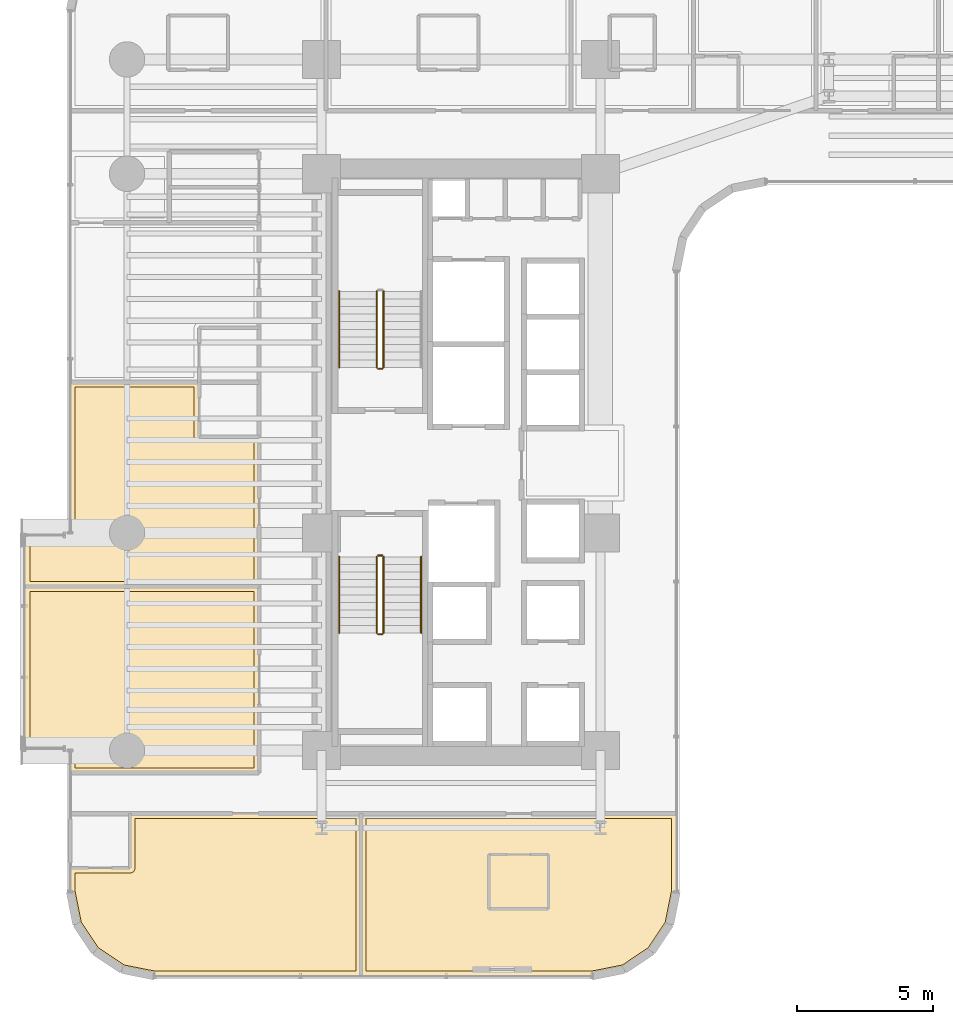
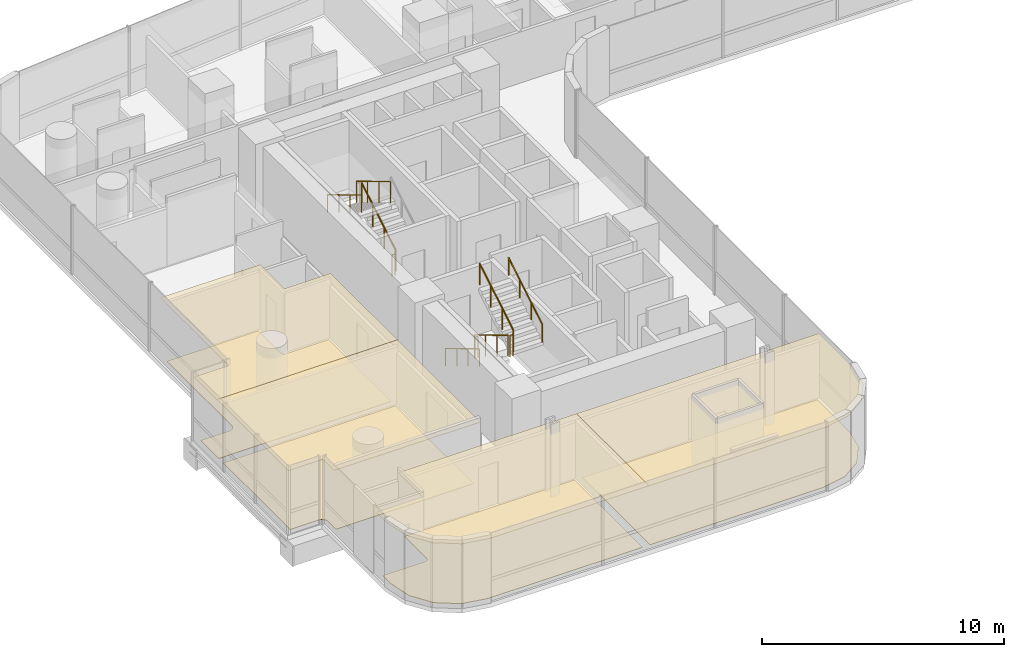
# One storey, part 36 of 40: 10 railings, 8 coverings.
"""IFC4 building model written with IfcOpenShell, lengths in metres."""

from ifc_helpers import new_model, si_unit, direction, frame, origin, origin_2d, place, context, subcontext, project, spatial, polyline, circle, outline, extrude, material, layer, layer_set, type_object, element, save


model = new_model("IFC4")

# Units and contexts
model_context = context("Model", 3, precision=1e-05, world=origin(), true_north=direction((0.0, 1.0)))
body_context = subcontext(model_context, "Body", "Model", "MODEL_VIEW")
ifc_project = project(units=[si_unit("LENGTHUNIT", "METRE"), si_unit("AREAUNIT", "SQUARE_METRE"), si_unit("VOLUMEUNIT", "CUBIC_METRE"), si_unit("PLANEANGLEUNIT", "RADIAN"), si_unit("MASSUNIT", "GRAM", prefix="KILO")], contexts=[model_context])

# Site, building, storey
site_placement = place(None, origin())
site = spatial("IfcSite", under=ifc_project, at=site_placement, CompositionType="ELEMENT")
building_placement = place(site_placement, origin())
building = spatial("IfcBuilding", under=site, at=building_placement, Name="Valdorenza Pilgrim Sanctuary Tower", CompositionType="ELEMENT")
storey_placement = place(building_placement, frame((0.0, 0.0, 92.60009765625)))
storey = spatial("IfcBuildingStorey", under=building, at=storey_placement, Name="L23", CompositionType="ELEMENT", Elevation=92.60009765625)

# Coverings
ifc_material_1 = material(Name="Micro-perforated acoustic mineral ceiling tile", Category="gypsum")
ifc_layer_1 = layer(ifc_material_1, 0.02490234375, Name="Micro-perforated acoustic mineral ceiling tile")
ifc_layer_set_1 = layer_set([ifc_layer_1], Name="Micro-perforated acoustic mineral ceiling tile")
covering_type_1 = type_object("IfcCoveringType", Name="COV-CLG-ACU", PredefinedType="CEILING", material=ifc_layer_set_1)
covering_1_placement = place(storey_placement, frame((0.0, 0.0, 3.159912109375)))
element("IfcCovering", 1, at=covering_1_placement, inside=storey, type_object=covering_type_1, Name="L23 Pilgrim Language Classroom L23 Acoustic Ceiling", PredefinedType="CEILING", context=body_context, shape_type="SweptSolid", body=[
    extrude(outline(polyline([(-24.93505859375, -11.419921875), (-24.93505859375, -11.42138671875), (-24.935302734375, -11.4228515625), (-24.935546875, -11.42431640625), (-24.93603515625, -11.42578125), (-24.936767578125, -11.427001953125), (-24.9375, -11.42822265625), (-24.9384765625, -11.429443359375), (-24.939453125, -11.4306640625), (-24.9404296875, -11.431640625), (-24.941650390625, -11.4326171875), (-24.94287109375, -11.43310546875), (-24.9443359375, -11.433837890625), (-24.945556640625, -11.434326171875), (-24.947021484375, -11.434814453125), (-24.948486328125, -11.434814453125), (-24.949951171875, -11.43505859375), (-31.889892578125, -11.43505859375), (-31.8916015625, -11.434814453125), (-31.892822265625, -11.434814453125), (-31.894287109375, -11.434326171875), (-31.895751953125, -11.433837890625), (-31.897216796875, -11.43310546875), (-31.898193359375, -11.4326171875), (-31.8994140625, -11.431640625), (-31.900634765625, -11.4306640625), (-31.901611328125, -11.429443359375), (-31.902587890625, -11.42822265625), (-31.9033203125, -11.427001953125), (-31.90380859375, -11.42578125), (-31.904296875, -11.42431640625), (-31.90478515625, -11.4228515625), (-31.90478515625, -11.42138671875), (-31.905029296875, -11.419921875), (-31.905029296875, -10.600341796875), (-31.905517578125, -10.5908203125), (-31.90673828125, -10.58154296875), (-31.9091796875, -10.572509765625), (-31.912109375, -10.563720703125), (-31.916259765625, -10.55517578125), (-31.9208984375, -10.547119140625), (-31.926513671875, -10.539794921875), (-31.932861328125, -10.53271484375), (-31.939697265625, -10.526611328125), (-31.947265625, -10.52099609375), (-31.955078125, -10.51611328125), (-31.963623046875, -10.51220703125), (-31.972412109375, -10.509033203125), (-31.9814453125, -10.5068359375), (-31.99072265625, -10.505615234375), (-32.00048828125, -10.5048828125), (-33.5400390625, -10.5048828125), (-33.54150390625, -10.5048828125), (-33.54296875, -10.504638671875), (-33.54443359375, -10.50439453125), (-33.545654296875, -10.50390625), (-33.547119140625, -10.503173828125), (-33.54833984375, -10.50244140625), (-33.549560546875, -10.501708984375), (-33.550537109375, -10.50048828125), (-33.551513671875, -10.49951171875), (-33.552490234375, -10.498291015625), (-33.55322265625, -10.4970703125), (-33.553955078125, -10.49560546875), (-33.554443359375, -10.494384765625), (-33.5546875, -10.492919921875), (-33.554931640625, -10.491455078125), (-33.554931640625, -10.489990234375), (-33.554931640625, -4.577880859375), (-33.554931640625, -4.576416015625), (-33.5546875, -4.5751953125), (-33.554443359375, -4.573486328125), (-33.553955078125, -4.572265625), (-33.55322265625, -4.57080078125), (-33.552490234375, -4.569580078125), (-33.551513671875, -4.568603515625), (-33.550537109375, -4.5673828125), (-33.549560546875, -4.56640625), (-33.54833984375, -4.5654296875), (-33.547119140625, -4.564697265625), (-33.545654296875, -4.564208984375), (-33.54443359375, -4.563720703125), (-33.54296875, -4.563232421875), (-33.54150390625, -4.56298828125), (-33.5400390625, -4.56298828125), (-24.949951171875, -4.56298828125), (-24.948486328125, -4.56298828125), (-24.947021484375, -4.563232421875), (-24.945556640625, -4.563720703125), (-24.9443359375, -4.564208984375), (-24.94287109375, -4.564697265625), (-24.941650390625, -4.5654296875), (-24.9404296875, -4.56640625), (-24.939453125, -4.5673828125), (-24.9384765625, -4.568603515625), (-24.9375, -4.569580078125), (-24.936767578125, -4.57080078125), (-24.93603515625, -4.572265625), (-24.935546875, -4.573486328125), (-24.935302734375, -4.5751953125), (-24.93505859375, -4.576416015625), (-24.93505859375, -4.577880859375), (-24.93505859375, -11.419921875)])), origin(), (0.0, 0.0, 1.0), 0.02490234375),
])
covering_2_placement = place(storey_placement, frame((0.0, 0.0, 3.159912109375)))
element("IfcCovering", 2, at=covering_2_placement, inside=storey, type_object=covering_type_1, Name="L23 Pilgrim Guest Room L23-HW1 Acoustic Ceiling", PredefinedType="CEILING", context=body_context, shape_type="SweptSolid", body=[
    extrude(outline(polyline([(-33.554931640625, -2.7099609375), (-33.554931640625, -2.70849609375), (-33.5546875, -2.70703125), (-33.554443359375, -2.70556640625), (-33.553955078125, -2.704345703125), (-33.55322265625, -2.702880859375), (-33.552490234375, -2.70166015625), (-33.551513671875, -2.700439453125), (-33.550537109375, -2.699462890625), (-33.549560546875, -2.698486328125), (-33.54833984375, -2.697509765625), (-33.547119140625, -2.69677734375), (-33.545654296875, -2.696044921875), (-33.54443359375, -2.695556640625), (-33.54296875, -2.6953125), (-33.54150390625, -2.695068359375), (-33.5400390625, -2.695068359375), (-32.00048828125, -2.695068359375), (-31.99072265625, -2.694580078125), (-31.9814453125, -2.693115234375), (-31.972412109375, -2.69091796875), (-31.963623046875, -2.687744140625), (-31.955078125, -2.683837890625), (-31.947265625, -2.678955078125), (-31.939697265625, -2.67333984375), (-31.932861328125, -2.667236328125), (-31.926513671875, -2.660400390625), (-31.9208984375, -2.65283203125), (-31.916259765625, -2.644775390625), (-31.912109375, -2.63623046875), (-31.9091796875, -2.627685546875), (-31.90673828125, -2.618408203125), (-31.905517578125, -2.609375), (-31.905029296875, -2.599609375), (-31.905029296875, 2.93603515625), (-31.90478515625, 2.9375), (-31.90478515625, 2.93896484375), (-31.904296875, 2.9404296875), (-31.90380859375, 2.941650390625), (-31.9033203125, 2.943115234375), (-31.902587890625, 2.9443359375), (-31.901611328125, 2.945556640625), (-31.900634765625, 2.946533203125), (-31.8994140625, 2.947509765625), (-31.898193359375, 2.948486328125), (-31.897216796875, 2.94921875), (-31.895751953125, 2.949951171875), (-31.894287109375, 2.950439453125), (-31.892822265625, 2.95068359375), (-31.8916015625, 2.950927734375), (-31.889892578125, 2.950927734375), (-27.152099609375, 2.950927734375), (-27.150390625, 2.950927734375), (-27.149169921875, 2.95068359375), (-27.147705078125, 2.950439453125), (-27.146240234375, 2.949951171875), (-27.14501953125, 2.94921875), (-27.143798828125, 2.948486328125), (-27.142578125, 2.947509765625), (-27.141357421875, 2.946533203125), (-27.140380859375, 2.945556640625), (-27.139404296875, 2.9443359375), (-27.138916015625, 2.943115234375), (-27.13818359375, 2.941650390625), (-27.1376953125, 2.9404296875), (-27.13720703125, 2.93896484375), (-27.13720703125, 2.9375), (-27.136962890625, 2.93603515625), (-27.136962890625, 0.948974609375), (-24.949951171875, 0.948974609375), (-24.948486328125, 0.948974609375), (-24.947021484375, 0.94873046875), (-24.945556640625, 0.948486328125), (-24.9443359375, 0.947998046875), (-24.94287109375, 0.947265625), (-24.941650390625, 0.946533203125), (-24.9404296875, 0.945556640625), (-24.939453125, 0.944580078125), (-24.9384765625, 0.943603515625), (-24.9375, 0.9423828125), (-24.936767578125, 0.941162109375), (-24.93603515625, 0.939697265625), (-24.935546875, 0.9384765625), (-24.935302734375, 0.93701171875), (-24.93505859375, 0.935546875), (-24.93505859375, 0.93408203125), (-24.93505859375, -4.575927734375), (-24.93505859375, -4.577392578125), (-24.935302734375, -4.578857421875), (-24.935546875, -4.580322265625), (-24.93603515625, -4.581787109375), (-24.936767578125, -4.5830078125), (-24.9375, -4.584228515625), (-24.9384765625, -4.58544921875), (-24.939453125, -4.586669921875), (-24.9404296875, -4.587646484375), (-24.941650390625, -4.58837890625), (-24.94287109375, -4.589111328125), (-24.9443359375, -4.58984375), (-24.945556640625, -4.59033203125), (-24.947021484375, -4.5908203125), (-24.948486328125, -4.5908203125), (-24.949951171875, -4.591064453125), (-33.5400390625, -4.591064453125), (-33.54150390625, -4.5908203125), (-33.54296875, -4.5908203125), (-33.54443359375, -4.59033203125), (-33.545654296875, -4.58984375), (-33.547119140625, -4.589111328125), (-33.54833984375, -4.58837890625), (-33.549560546875, -4.587646484375), (-33.550537109375, -4.586669921875), (-33.551513671875, -4.58544921875), (-33.552490234375, -4.584228515625), (-33.55322265625, -4.5830078125), (-33.553955078125, -4.581787109375), (-33.554443359375, -4.580322265625), (-33.5546875, -4.578857421875), (-33.554931640625, -4.577392578125), (-33.554931640625, -4.575927734375), (-33.554931640625, -2.7099609375)])), origin(), (0.0, 0.0, 1.0), 0.02490234375),
])
covering_3_placement = place(storey_placement, frame((0.0, 0.0, 3.159912109375)))
element("IfcCovering", 3, at=covering_3_placement, inside=storey, type_object=covering_type_1, Name="L23 South Guest Room L23-S1 Acoustic Ceiling", PredefinedType="CEILING", context=body_context, shape_type="SweptSolid", body=[
    extrude(outline(polyline([(-29.702880859375, -14.906982421875), (-29.702880859375, -12.919921875), (-29.702880859375, -12.91845703125), (-29.70263671875, -12.9169921875), (-29.702392578125, -12.91552734375), (-29.701904296875, -12.914306640625), (-29.701171875, -12.912841796875), (-29.700439453125, -12.91162109375), (-29.69970703125, -12.910400390625), (-29.698486328125, -12.909423828125), (-29.697509765625, -12.908447265625), (-29.6962890625, -12.907470703125), (-29.695068359375, -12.90673828125), (-29.693603515625, -12.906005859375), (-29.6923828125, -12.905517578125), (-29.69091796875, -12.9052734375), (-29.689453125, -12.905029296875), (-29.68798828125, -12.905029296875), (-21.199951171875, -12.905029296875), (-21.198486328125, -12.905029296875), (-21.197021484375, -12.9052734375), (-21.195556640625, -12.905517578125), (-21.1943359375, -12.906005859375), (-21.19287109375, -12.90673828125), (-21.191650390625, -12.907470703125), (-21.1904296875, -12.908447265625), (-21.189453125, -12.909423828125), (-21.1884765625, -12.910400390625), (-21.1875, -12.91162109375), (-21.186767578125, -12.912841796875), (-21.18603515625, -12.914306640625), (-21.185546875, -12.91552734375), (-21.185302734375, -12.9169921875), (-21.18505859375, -12.91845703125), (-21.18505859375, -12.919921875), (-21.18505859375, -18.889892578125), (-21.18505859375, -18.8916015625), (-21.185302734375, -18.892822265625), (-21.185546875, -18.894287109375), (-21.18603515625, -18.895751953125), (-21.186767578125, -18.897216796875), (-21.1875, -18.898193359375), (-21.1884765625, -18.8994140625), (-21.189453125, -18.900634765625), (-21.1904296875, -18.901611328125), (-21.191650390625, -18.902587890625), (-21.19287109375, -18.9033203125), (-21.1943359375, -18.90380859375), (-21.195556640625, -18.904296875), (-21.197021484375, -18.90478515625), (-21.198486328125, -18.90478515625), (-21.199951171875, -18.905029296875), (-28.789306640625, -18.905029296875), (-28.79052734375, -18.90478515625), (-28.7919921875, -18.90478515625), (-29.984619140625, -18.66748046875), (-29.986083984375, -18.6669921875), (-29.9873046875, -18.66650390625), (-29.98876953125, -18.666015625), (-29.989990234375, -18.665283203125), (-30.99169921875, -17.995849609375), (-30.992919921875, -17.9951171875), (-30.993896484375, -17.993896484375), (-30.9951171875, -17.992919921875), (-30.995849609375, -17.99169921875), (-31.665283203125, -16.989990234375), (-31.666015625, -16.98876953125), (-31.66650390625, -16.9873046875), (-31.6669921875, -16.986083984375), (-31.66748046875, -16.984619140625), (-31.90478515625, -15.7919921875), (-31.90478515625, -15.79052734375), (-31.905029296875, -15.789306640625), (-31.905029296875, -14.922119140625), (-31.90478515625, -14.92041015625), (-31.90478515625, -14.919189453125), (-31.904296875, -14.91748046875), (-31.90380859375, -14.916259765625), (-31.9033203125, -14.914794921875), (-31.902587890625, -14.913818359375), (-31.901611328125, -14.91259765625), (-31.900634765625, -14.911376953125), (-31.8994140625, -14.910400390625), (-31.898193359375, -14.909423828125), (-31.897216796875, -14.90869140625), (-31.895751953125, -14.908203125), (-31.894287109375, -14.90771484375), (-31.892822265625, -14.9072265625), (-31.8916015625, -14.906982421875), (-31.889892578125, -14.906982421875), (-29.702880859375, -14.906982421875)])), origin(), (0.0, 0.0, 1.0), 0.02490234375),
])
covering_4_placement = place(storey_placement, frame((0.0, 0.0, 3.159912109375)))
element("IfcCovering", 4, at=covering_4_placement, inside=storey, type_object=covering_type_1, Name="L23 South Guest Room L23-S2 Acoustic Ceiling", PredefinedType="CEILING", context=body_context, shape_type="SweptSolid", body=[
    extrude(outline(polyline([(-9.610107421875, -12.905029296875), (-9.6083984375, -12.905029296875), (-9.607177734375, -12.9052734375), (-9.605712890625, -12.905517578125), (-9.604248046875, -12.906005859375), (-9.602783203125, -12.90673828125), (-9.601806640625, -12.907470703125), (-9.6005859375, -12.908447265625), (-9.599365234375, -12.909423828125), (-9.598388671875, -12.910400390625), (-9.597412109375, -12.91162109375), (-9.5966796875, -12.912841796875), (-9.59619140625, -12.914306640625), (-9.595703125, -12.91552734375), (-9.59521484375, -12.9169921875), (-9.59521484375, -12.91845703125), (-9.594970703125, -12.919921875), (-9.594970703125, -15.789306640625), (-9.59521484375, -15.79052734375), (-9.59521484375, -15.7919921875), (-9.83251953125, -16.984619140625), (-9.8330078125, -16.986083984375), (-9.83349609375, -16.9873046875), (-9.833984375, -16.98876953125), (-9.834716796875, -16.989990234375), (-10.504150390625, -17.99169921875), (-10.5048828125, -17.992919921875), (-10.506103515625, -17.993896484375), (-10.507080078125, -17.9951171875), (-10.50830078125, -17.995849609375), (-11.510009765625, -18.665283203125), (-11.51123046875, -18.666015625), (-11.5126953125, -18.66650390625), (-11.513916015625, -18.6669921875), (-11.515380859375, -18.66748046875), (-12.7080078125, -18.90478515625), (-12.70947265625, -18.90478515625), (-12.710693359375, -18.905029296875), (-21.197998046875, -18.905029296875), (-21.199462890625, -18.90478515625), (-21.200927734375, -18.90478515625), (-21.202392578125, -18.904296875), (-21.20361328125, -18.90380859375), (-21.205078125, -18.9033203125), (-21.206298828125, -18.902587890625), (-21.20751953125, -18.901611328125), (-21.20849609375, -18.900634765625), (-21.209716796875, -18.8994140625), (-21.21044921875, -18.898193359375), (-21.211181640625, -18.897216796875), (-21.2119140625, -18.895751953125), (-21.21240234375, -18.894287109375), (-21.212646484375, -18.892822265625), (-21.212890625, -18.8916015625), (-21.212890625, -18.889892578125), (-21.212890625, -12.919921875), (-21.212890625, -12.91845703125), (-21.212646484375, -12.9169921875), (-21.21240234375, -12.91552734375), (-21.2119140625, -12.914306640625), (-21.211181640625, -12.912841796875), (-21.21044921875, -12.91162109375), (-21.209716796875, -12.910400390625), (-21.20849609375, -12.909423828125), (-21.20751953125, -12.908447265625), (-21.206298828125, -12.907470703125), (-21.205078125, -12.90673828125), (-21.20361328125, -12.906005859375), (-21.202392578125, -12.905517578125), (-21.200927734375, -12.9052734375), (-21.199462890625, -12.905029296875), (-21.197998046875, -12.905029296875), (-9.610107421875, -12.905029296875)])), origin(), (0.0, 0.0, 1.0), 0.02490234375),
])
ifc_material_2 = material(Name="Engineered European oak timber flooring", Category="wood")
ifc_layer_2 = layer(ifc_material_2, 0.02197265625, Name="Engineered European oak timber flooring")
ifc_layer_set_2 = layer_set([ifc_layer_2], Name="Engineered European oak timber flooring")
covering_type_2 = type_object("IfcCoveringType", Name="COV-FLR-OAK", PredefinedType="FLOORING", material=ifc_layer_set_2)
covering_5_placement = place(storey_placement, origin())
element("IfcCovering", 5, at=covering_5_placement, inside=storey, type_object=covering_type_2, Name="L23 Pilgrim Language Classroom L23 Flooring", PredefinedType="FLOORING", context=body_context, shape_type="SweptSolid", body=[
    extrude(outline(polyline([(-25.1298828125, -11.239990234375), (-31.7099609375, -11.239990234375), (-31.7099609375, -10.60009765625), (-31.710205078125, -10.59130859375), (-31.710693359375, -10.580322265625), (-31.71240234375, -10.562744140625), (-31.714111328125, -10.552001953125), (-31.717529296875, -10.534912109375), (-31.72021484375, -10.5244140625), (-31.725341796875, -10.50732421875), (-31.72900390625, -10.497314453125), (-31.735595703125, -10.48095703125), (-31.740234375, -10.47119140625), (-31.74853515625, -10.45556640625), (-31.754150390625, -10.4462890625), (-31.763916015625, -10.431640625), (-31.7705078125, -10.423095703125), (-31.781494140625, -10.4091796875), (-31.788818359375, -10.4013671875), (-31.80126953125, -10.388916015625), (-31.809326171875, -10.381591796875), (-31.822998046875, -10.370361328125), (-31.831787109375, -10.364013671875), (-31.84619140625, -10.35400390625), (-31.855712890625, -10.3486328125), (-31.87109375, -10.34033203125), (-31.880859375, -10.335693359375), (-31.897216796875, -10.328857421875), (-31.907470703125, -10.3251953125), (-31.92431640625, -10.320068359375), (-31.934814453125, -10.3173828125), (-31.9521484375, -10.314208984375), (-31.962890625, -10.3125), (-31.98046875, -10.310791015625), (-31.9912109375, -10.310302734375), (-32.0, -10.31005859375), (-33.360107421875, -10.31005859375), (-33.360107421875, -4.758056640625), (-25.1298828125, -4.758056640625), (-25.1298828125, -11.239990234375)])), origin(), (0.0, 0.0, 1.0), 0.02490234375),
])
covering_6_placement = place(storey_placement, origin())
element("IfcCovering", 6, at=covering_6_placement, inside=storey, type_object=covering_type_2, Name="L23 Pilgrim Guest Room L23-HW1 Flooring", PredefinedType="FLOORING", context=body_context, shape_type="SweptSolid", body=[
    extrude(outline(polyline([(-33.360107421875, -2.889892578125), (-32.0, -2.889892578125), (-31.9912109375, -2.889892578125), (-31.98046875, -2.889404296875), (-31.962890625, -2.887451171875), (-31.9521484375, -2.885986328125), (-31.934814453125, -2.882568359375), (-31.92431640625, -2.8798828125), (-31.907470703125, -2.874755859375), (-31.897216796875, -2.87109375), (-31.880859375, -2.8642578125), (-31.87109375, -2.859619140625), (-31.855712890625, -2.851318359375), (-31.84619140625, -2.845947265625), (-31.831787109375, -2.8359375), (-31.822998046875, -2.82958984375), (-31.809326171875, -2.818359375), (-31.80126953125, -2.811279296875), (-31.788818359375, -2.798583984375), (-31.781494140625, -2.790771484375), (-31.7705078125, -2.777099609375), (-31.763916015625, -2.768310546875), (-31.754150390625, -2.753662109375), (-31.74853515625, -2.744384765625), (-31.740234375, -2.728759765625), (-31.735595703125, -2.718994140625), (-31.72900390625, -2.70263671875), (-31.725341796875, -2.692626953125), (-31.72021484375, -2.67578125), (-31.717529296875, -2.665283203125), (-31.714111328125, -2.64794921875), (-31.71240234375, -2.63720703125), (-31.710693359375, -2.61962890625), (-31.710205078125, -2.60888671875), (-31.7099609375, -2.60009765625), (-31.7099609375, 2.756103515625), (-27.33203125, 2.756103515625), (-27.33203125, 0.93603515625), (-27.331787109375, 0.92724609375), (-27.331787109375, 0.927001953125), (-27.330078125, 0.909423828125), (-27.330078125, 0.9091796875), (-27.32666015625, 0.891845703125), (-27.326416015625, 0.8916015625), (-27.3212890625, 0.874755859375), (-27.3212890625, 0.87451171875), (-27.314697265625, 0.8583984375), (-27.314453125, 0.858154296875), (-27.30615234375, 0.842529296875), (-27.30615234375, 0.84228515625), (-27.296142578125, 0.82763671875), (-27.296142578125, 0.827392578125), (-27.284912109375, 0.81396484375), (-27.284912109375, 0.813720703125), (-27.272216796875, 0.80126953125), (-27.272216796875, 0.801025390625), (-27.258544921875, 0.789794921875), (-27.25830078125, 0.789794921875), (-27.24365234375, 0.77978515625), (-27.243408203125, 0.77978515625), (-27.227783203125, 0.771484375), (-27.227783203125, 0.771484375), (-27.21142578125, 0.7646484375), (-27.211181640625, 0.7646484375), (-27.1943359375, 0.759521484375), (-27.194091796875, 0.759521484375), (-27.1767578125, 0.756103515625), (-27.176513671875, 0.756103515625), (-27.158935546875, 0.754150390625), (-27.15869140625, 0.754150390625), (-27.14990234375, 0.75390625), (-25.1298828125, 0.75390625), (-25.1298828125, -4.39599609375), (-33.360107421875, -4.39599609375), (-33.360107421875, -2.889892578125)])), origin(), (0.0, 0.0, 1.0), 0.02490234375),
])
covering_7_placement = place(storey_placement, origin())
element("IfcCovering", 7, at=covering_7_placement, inside=storey, type_object=covering_type_2, Name="L23 South Guest Room L23-S1 Flooring", PredefinedType="FLOORING", context=body_context, shape_type="SweptSolid", body=[
    extrude(outline(polyline([(-28.771484375, -18.7099609375), (-29.911376953125, -18.483154296875), (-30.853515625, -17.853515625), (-31.483154296875, -16.911376953125), (-31.7099609375, -15.771484375), (-31.7099609375, -15.10205078125), (-29.68994140625, -15.10205078125), (-29.68115234375, -15.101806640625), (-29.680908203125, -15.101806640625), (-29.663330078125, -15.10009765625), (-29.6630859375, -15.10009765625), (-29.64599609375, -15.0966796875), (-29.645751953125, -15.096435546875), (-29.62890625, -15.09130859375), (-29.628662109375, -15.09130859375), (-29.6123046875, -15.084716796875), (-29.612060546875, -15.08447265625), (-29.596435546875, -15.076171875), (-29.596435546875, -15.076171875), (-29.581787109375, -15.066162109375), (-29.58154296875, -15.066162109375), (-29.56787109375, -15.054931640625), (-29.567626953125, -15.0546875), (-29.55517578125, -15.042236328125), (-29.55517578125, -15.0419921875), (-29.5439453125, -15.028564453125), (-29.543701171875, -15.0283203125), (-29.533935546875, -15.013671875), (-29.53369140625, -15.013427734375), (-29.525390625, -14.997802734375), (-29.525390625, -14.997802734375), (-29.518798828125, -14.9814453125), (-29.5185546875, -14.981201171875), (-29.513427734375, -14.96435546875), (-29.513427734375, -14.964111328125), (-29.510009765625, -14.94677734375), (-29.510009765625, -14.946533203125), (-29.50830078125, -14.928955078125), (-29.50830078125, -14.9287109375), (-29.508056640625, -14.919921875), (-29.508056640625, -13.10009765625), (-21.3798828125, -13.10009765625), (-21.3798828125, -18.7099609375), (-28.771484375, -18.7099609375)])), origin(), (0.0, 0.0, 1.0), 0.02490234375),
])
covering_8_placement = place(storey_placement, origin())
element("IfcCovering", 8, at=covering_8_placement, inside=storey, type_object=covering_type_2, Name="L23 South Guest Room L23-S2 Flooring", PredefinedType="FLOORING", context=body_context, shape_type="SweptSolid", body=[
    extrude(outline(polyline([(-9.7900390625, -13.10009765625), (-9.7900390625, -15.771484375), (-10.016845703125, -16.911376953125), (-10.646484375, -17.853515625), (-11.588623046875, -18.483154296875), (-12.728515625, -18.7099609375), (-21.01806640625, -18.7099609375), (-21.01806640625, -13.10009765625), (-9.7900390625, -13.10009765625)])), origin(), (0.0, 0.0, 1.0), 0.02490234375),
])

# Railings
ifc_material_3 = material(Name="Stainless steel Grade 316", Category="steel")
railing_type_1 = type_object("IfcRailingType", Name="RLG-GRD-1120", PredefinedType="GUARDRAIL", material=ifc_material_3)
railing_1_placement = place(storey_placement, frame((-20.3701171875, 3.47998046875, 0.16796875)))
element("IfcRailing", 9, at=railing_1_placement, inside=storey, type_object=railing_type_1, Name="L23 ST-A1 stair guard 1", PredefinedType="GUARDRAIL", context=body_context, shape_type="SweptSolid", body=[
    extrude(circle(Radius=0.02392578125, at=origin_2d()), frame((0.0, 0.0, 1.076171875), z_axis=(0.0, 0.857242210791, 0.514913383045), x_axis=(-1.0, 0.0, 0.0)), (0.0, 0.0, 1.0), 3.266357421875),
    extrude(circle(Radius=0.02099609375, at=origin_2d()), origin(), (0.0, 0.0, 1.0), 1.052001953125),
    extrude(circle(Radius=0.02099609375, at=origin_2d()), frame((0.0, 0.933349609375, 0.560546875)), (0.0, 0.0, 1.0), 1.052001953125),
    extrude(circle(Radius=0.02099609375, at=origin_2d()), frame((0.0, 1.86669921875, 1.121337890625)), (0.0, 0.0, 1.0), 1.052001953125),
    extrude(circle(Radius=0.02099609375, at=origin_2d()), frame((0.0, 2.800048828125, 1.681884765625)), (0.0, 0.0, 1.0), 1.052001953125),
])
railing_2_placement = place(storey_placement, frame((-20.6201171875, 6.280029296875, 2.01806640625)))
element("IfcRailing", 10, at=railing_2_placement, inside=storey, type_object=railing_type_1, Name="L23 ST-A1 stair guard 3", PredefinedType="GUARDRAIL", context=body_context, shape_type="SweptSolid", body=[
    extrude(circle(Radius=0.02392578125, at=origin_2d()), frame((0.0, 0.0, 1.076171875), z_axis=(0.0, -0.857242210791, 0.514913383045), x_axis=(1.0, 0.0, 0.0)), (0.0, 0.0, 1.0), 3.266357421875),
    extrude(circle(Radius=0.02099609375, at=origin_2d()), origin(), (0.0, 0.0, 1.0), 1.052001953125),
    extrude(circle(Radius=0.02099609375, at=origin_2d()), frame((0.0, -0.933349609375, 0.560546875)), (0.0, 0.0, 1.0), 1.052001953125),
    extrude(circle(Radius=0.02099609375, at=origin_2d()), frame((0.0, -1.86669921875, 1.121337890625)), (0.0, 0.0, 1.0), 1.052001953125),
    extrude(circle(Radius=0.02099609375, at=origin_2d()), frame((0.0, -2.800048828125, 1.681884765625)), (0.0, 0.0, 1.0), 1.052001953125),
])
railing_3_placement = place(storey_placement, frame((-20.419921875, 3.429931640625, 0.0)))
element("IfcRailing", 11, at=railing_3_placement, inside=storey, type_object=railing_type_1, Name="L23 ST-A1 stair guard 4", PredefinedType="GUARDRAIL", context=body_context, shape_type="SweptSolid", body=[
    extrude(circle(Radius=0.02392578125, at=origin_2d()), frame((0.0, 0.0, 1.076171875), z_axis=(-1.0, 0.0, 0.0), x_axis=(0.0, -1.0, 0.0)), (0.0, 0.0, 1.0), 0.150146484375),
    extrude(circle(Radius=0.02099609375, at=origin_2d()), origin(), (0.0, 0.0, 1.0), 1.052001953125),
    extrude(circle(Radius=0.02099609375, at=origin_2d()), frame((-0.150146484375, 0.0, 0.0)), (0.0, 0.0, 1.0), 1.052001953125),
])
railing_4_placement = place(storey_placement, frame((-20.6201171875, -3.47998046875, 0.16796875)))
element("IfcRailing", 12, at=railing_4_placement, inside=storey, type_object=railing_type_1, Name="L23 ST-A2 stair guard 1", PredefinedType="GUARDRAIL", context=body_context, shape_type="SweptSolid", body=[
    extrude(circle(Radius=0.02392578125, at=origin_2d()), frame((0.0, 0.0, 1.076171875), z_axis=(0.0, -0.857242210791, 0.514913383045), x_axis=(1.0, 0.0, 0.0)), (0.0, 0.0, 1.0), 3.266357421875),
    extrude(circle(Radius=0.02099609375, at=origin_2d()), origin(), (0.0, 0.0, 1.0), 1.052001953125),
    extrude(circle(Radius=0.02099609375, at=origin_2d()), frame((0.0, -0.933349609375, 0.560546875)), (0.0, 0.0, 1.0), 1.052001953125),
    extrude(circle(Radius=0.02099609375, at=origin_2d()), frame((0.0, -1.86669921875, 1.121337890625)), (0.0, 0.0, 1.0), 1.052001953125),
    extrude(circle(Radius=0.02099609375, at=origin_2d()), frame((0.0, -2.800048828125, 1.681884765625)), (0.0, 0.0, 1.0), 1.052001953125),
])
railing_5_placement = place(storey_placement, frame((-20.570068359375, -6.330078125, 1.849853515625)))
element("IfcRailing", 13, at=railing_5_placement, inside=storey, type_object=railing_type_1, Name="L23 ST-A2 stair guard 2", PredefinedType="GUARDRAIL", context=body_context, shape_type="SweptSolid", body=[
    extrude(circle(Radius=0.02392578125, at=origin_2d()), frame((0.0, 0.0, 1.076171875), z_axis=(1.0, 0.0, 0.0), x_axis=(0.0, 1.0, 0.0)), (0.0, 0.0, 1.0), 0.150146484375),
    extrude(circle(Radius=0.02099609375, at=origin_2d()), origin(), (0.0, 0.0, 1.0), 1.052001953125),
    extrude(circle(Radius=0.02099609375, at=origin_2d()), frame((0.150146484375, 0.0, 0.0)), (0.0, 0.0, 1.0), 1.052001953125),
])
railing_6_placement = place(storey_placement, frame((-20.3701171875, -6.280029296875, 2.01806640625)))
element("IfcRailing", 14, at=railing_6_placement, inside=storey, type_object=railing_type_1, Name="L23 ST-A2 stair guard 3", PredefinedType="GUARDRAIL", context=body_context, shape_type="SweptSolid", body=[
    extrude(circle(Radius=0.02392578125, at=origin_2d()), frame((0.0, 0.0, 1.076171875), z_axis=(0.0, 0.857242210791, 0.514913383045), x_axis=(-1.0, 0.0, 0.0)), (0.0, 0.0, 1.0), 3.266357421875),
    extrude(circle(Radius=0.02099609375, at=origin_2d()), origin(), (0.0, 0.0, 1.0), 1.052001953125),
    extrude(circle(Radius=0.02099609375, at=origin_2d()), frame((0.0, 0.933349609375, 0.560546875)), (0.0, 0.0, 1.0), 1.052001953125),
    extrude(circle(Radius=0.02099609375, at=origin_2d()), frame((0.0, 1.86669921875, 1.121337890625)), (0.0, 0.0, 1.0), 1.052001953125),
    extrude(circle(Radius=0.02099609375, at=origin_2d()), frame((0.0, 2.800048828125, 1.681884765625)), (0.0, 0.0, 1.0), 1.052001953125),
])
railing_7_placement = place(storey_placement, frame((-20.570068359375, -3.429931640625, 0.0)))
element("IfcRailing", 15, at=railing_7_placement, inside=storey, type_object=railing_type_1, Name="L23 ST-A2 stair guard 4", PredefinedType="GUARDRAIL", context=body_context, shape_type="SweptSolid", body=[
    extrude(circle(Radius=0.02392578125, at=origin_2d()), frame((0.0, 0.0, 1.076171875), z_axis=(1.0, 0.0, 0.0), x_axis=(0.0, 1.0, 0.0)), (0.0, 0.0, 1.0), 0.150146484375),
    extrude(circle(Radius=0.02099609375, at=origin_2d()), origin(), (0.0, 0.0, 1.0), 1.052001953125),
    extrude(circle(Radius=0.02099609375, at=origin_2d()), frame((0.150146484375, 0.0, 0.0)), (0.0, 0.0, 1.0), 1.052001953125),
])
ifc_material_4 = material(Name="Brushed stainless steel Grade 316", Category="steel")
railing_type_2 = type_object("IfcRailingType", Name="RLG-HND-920", PredefinedType="HANDRAIL", material=ifc_material_4)
for number, where, name in (
    (16, (-22.0, 6.280029296875, 2.01806640625), "L23 ST-A1 stair handrail 2"),
    (17, (-22.0, -3.47998046875, 0.16796875), "L23 ST-A2 stair handrail 1"),
):
    element("IfcRailing", number, at=place(storey_placement, frame(where)), inside=storey, type_object=railing_type_2, Name=name, PredefinedType="HANDRAIL", context=body_context, shape_type="SweptSolid", body=[
        extrude(circle(Radius=0.02392578125, at=origin_2d()), frame((0.0, 0.0, 0.8759765625), z_axis=(0.0, -0.857242210791, 0.514913383045), x_axis=(1.0, 0.0, 0.0)), (0.0, 0.0, 1.0), 3.266357421875),
        extrude(circle(Radius=0.02099609375, at=origin_2d()), origin(), (0.0, 0.0, 1.0), 0.851806640625),
        extrude(circle(Radius=0.02099609375, at=origin_2d()), frame((0.0, -0.933349609375, 0.560546875)), (0.0, 0.0, 1.0), 0.851806640625),
        extrude(circle(Radius=0.02099609375, at=origin_2d()), frame((0.0, -1.86669921875, 1.121337890625)), (0.0, 0.0, 1.0), 0.851806640625),
        extrude(circle(Radius=0.02099609375, at=origin_2d()), frame((0.0, -2.800048828125, 1.681884765625)), (0.0, 0.0, 1.0), 0.851806640625),
    ])
railing_8_placement = place(storey_placement, frame((-18.989990234375, -6.280029296875, 2.01806640625)))
element("IfcRailing", 18, at=railing_8_placement, inside=storey, type_object=railing_type_2, Name="L23 ST-A2 stair handrail 2", PredefinedType="HANDRAIL", context=body_context, shape_type="SweptSolid", body=[
    extrude(circle(Radius=0.02392578125, at=origin_2d()), frame((0.0, 0.0, 0.8759765625), z_axis=(0.0, 0.857242210791, 0.514913383045), x_axis=(-1.0, 0.0, 0.0)), (0.0, 0.0, 1.0), 3.266357421875),
    extrude(circle(Radius=0.02099609375, at=origin_2d()), origin(), (0.0, 0.0, 1.0), 0.851806640625),
    extrude(circle(Radius=0.02099609375, at=origin_2d()), frame((0.0, 0.933349609375, 0.560546875)), (0.0, 0.0, 1.0), 0.851806640625),
    extrude(circle(Radius=0.02099609375, at=origin_2d()), frame((0.0, 1.86669921875, 1.121337890625)), (0.0, 0.0, 1.0), 0.851806640625),
    extrude(circle(Radius=0.02099609375, at=origin_2d()), frame((0.0, 2.800048828125, 1.681884765625)), (0.0, 0.0, 1.0), 0.851806640625),
])

save(model, "model.ifc")
